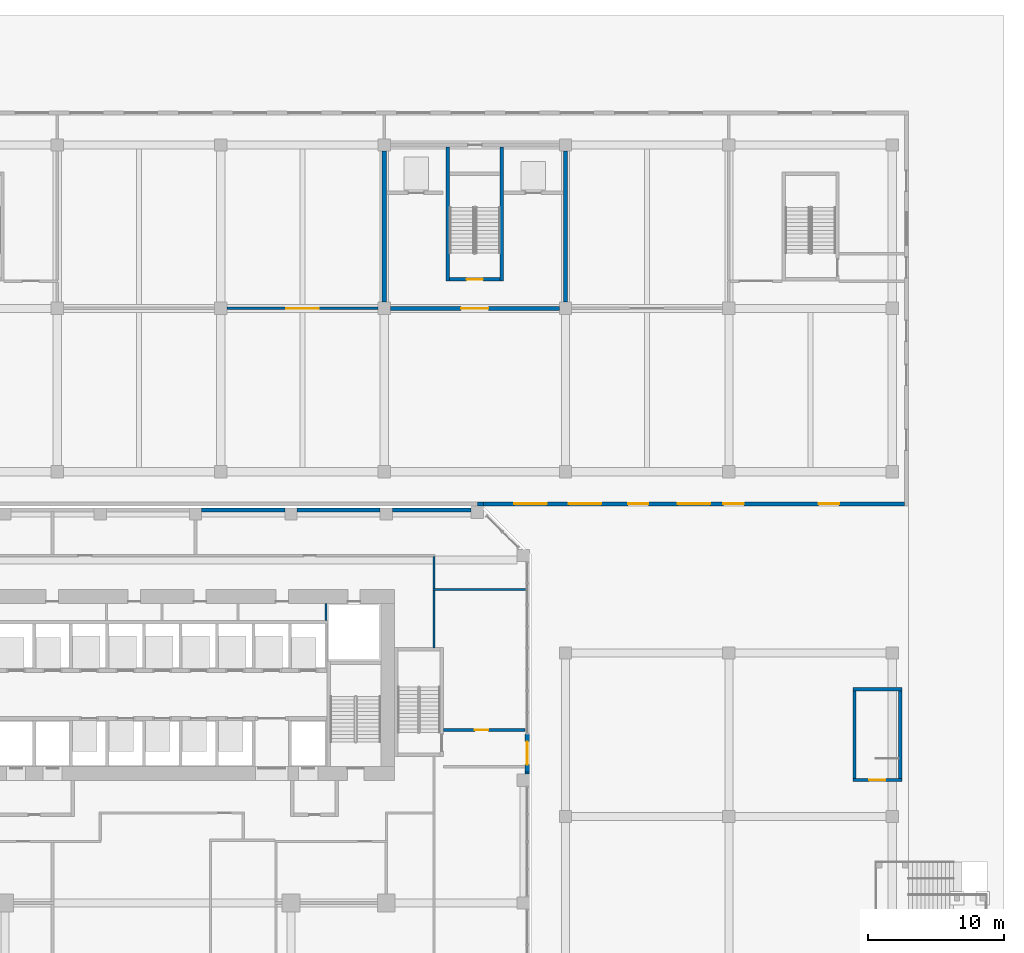
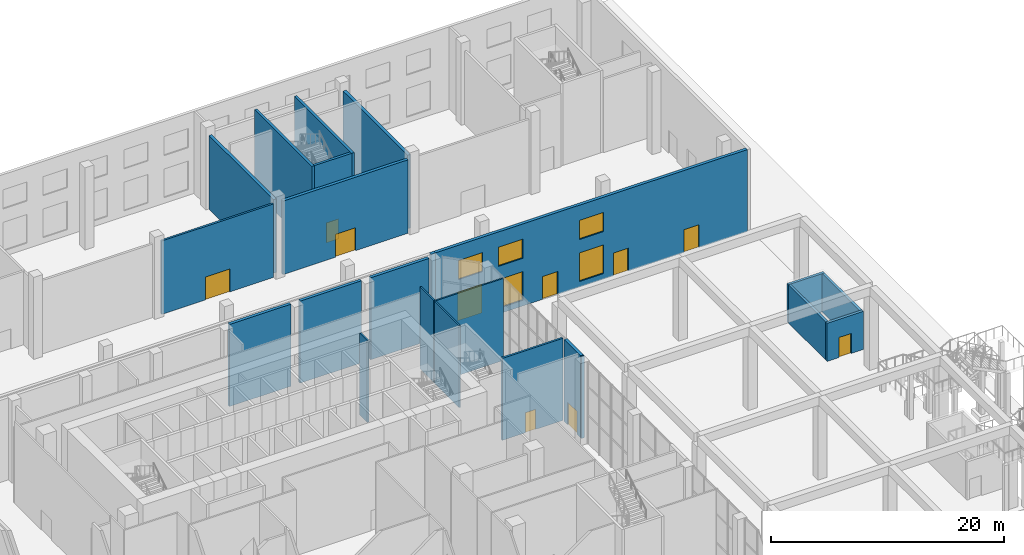
# One storey, part 29 of 43: 23 walls, 9 doors, 6 windows, 15 openings.
"""IFC4 building model written with IfcOpenShell, lengths in metres."""

from ifc_helpers import new_model, si_unit, direction, frame, frame_2d, origin, place, context, subcontext, project, spatial, rectangle, extrude, source, transform, mapped, material, layer, layer_set, type_object, element, fill, save


model = new_model("IFC4")

# Units and contexts
model_context = context("Model", 3, precision=1e-05, world=origin(), true_north=direction((0.0, 1.0)))
body_context = subcontext(model_context, "Body", "Model", "MODEL_VIEW")
ifc_project = project(units=[si_unit("LENGTHUNIT", "METRE"), si_unit("AREAUNIT", "SQUARE_METRE"), si_unit("VOLUMEUNIT", "CUBIC_METRE"), si_unit("PLANEANGLEUNIT", "RADIAN"), si_unit("MASSUNIT", "GRAM", prefix="KILO")], contexts=[model_context])

# Site, building, storey
site_placement = place(None, origin())
site = spatial("IfcSite", under=ifc_project, at=site_placement, CompositionType="ELEMENT")
building_placement = place(site_placement, origin())
building = spatial("IfcBuilding", under=site, at=building_placement, Name="Kilnfold Tower and Market Hall", CompositionType="ELEMENT")
storey_placement = place(building_placement, origin())
storey = spatial("IfcBuildingStorey", under=building, at=storey_placement, Name="L00", CompositionType="ELEMENT", Elevation=0.0)

# Walls
ifc_material_1 = material(Name="Gypsum board on steel studs", Category="steel")
ifc_layer_1 = layer(ifc_material_1, 0.14990234375)
ifc_layer_set_1 = layer_set([ifc_layer_1], Name="Gypsum board on steel studs")
wall_type_1 = type_object("IfcWallType", Name="WALL CORRIDOR 150", PredefinedType="PARTITIONING", material=ifc_layer_set_1)
wall_1_placement = place(storey_placement, frame((21.0, 17.699951171875, 0.0), z_axis=(0.0, 0.0, 1.0), x_axis=(0.0, 1.0, 0.0)))
element("IfcWall", 1, at=wall_1_placement, inside=storey, type_object=wall_type_1, Name="Partition LY01.8", PredefinedType="PARTITIONING", context=body_context, shape_type="SweptSolid", body=[
    extrude(rectangle(XDim=4.22509765625, YDim=0.14990234375, at=frame_2d((2.112548828125, 0.0))), origin(), (0.0, 0.0, 1.0), 8.60009765625),
])
wall_2_placement = place(storey_placement, frame((27.75, 22.0, 0.0), z_axis=(0.0, 0.0, 1.0), x_axis=(-1.0, 0.0, 0.0)))
element("IfcWall", 2, at=wall_2_placement, inside=storey, type_object=wall_type_1, Name="Partition LY01.9", PredefinedType="PARTITIONING", context=body_context, shape_type="SweptSolid", body=[
    extrude(rectangle(XDim=6.824951171875, YDim=0.14990234375, at=frame_2d((3.41259765625, 0.0))), origin(), (0.0, 0.0, 1.0), 8.60009765625),
])
wall_3_placement = place(storey_placement, frame((21.0, 22.06591796875, 0.0), z_axis=(0.0, 0.0, 1.0), x_axis=(0.0, 1.0, 0.0)))
element("IfcWall", 3, at=wall_3_placement, inside=storey, type_object=wall_type_1, Name="Partition LY01.32", PredefinedType="PARTITIONING", context=body_context, shape_type="SweptSolid", body=[
    extrude(rectangle(XDim=2.359130859375, YDim=0.14990234375, at=frame_2d((1.1796875, 0.0))), origin(), (0.0, 0.0, 1.0), 8.60009765625),
])

# Wall, opening, door
ifc_material_2 = material(Name="Concrete C50/60", Category="concrete")
ifc_layer_2 = layer(ifc_material_2, 0.25)
ifc_layer_set_2 = layer_set([ifc_layer_2], Name="Concrete C50/60")
wall_type_2 = type_object("IfcWallType", Name="HALL CORE WALL 250", PredefinedType="SHEAR", material=ifc_layer_set_2)
shared_shape_1 = source(origin(), body_context, "Body", "SweptSolid", [
    extrude(rectangle(XDim=3.7001953125, YDim=0.25, at=frame_2d((1.85009765625, 0.0))), origin(), (0.0, 0.0, 1.0), 8.60009765625),
])
wall_4_placement = place(storey_placement, frame((25.85009765625, 44.77490234375, 0.0), z_axis=(0.0, 0.0, 1.0), x_axis=(-1.0, 0.0, 0.0)))
wall_4 = element("IfcWall", 4, at=wall_4_placement, inside=storey, type_object=wall_type_2, Name="Core wall MH3", PredefinedType="SHEAR", context=body_context, shape_type="MappedRepresentation", body=[
    mapped(shared_shape_1, transform((0.0, 0.0, 0.0))),
])
opening_1_placement = place(wall_4_placement, frame((1.25, 0.0, 0.0)))
opening_1 = element("IfcOpeningElement", 5, at=opening_1_placement, cuts=wall_4, Name="Opening MD9-60", PredefinedType="OPENING", context=body_context, shape_type="SweptSolid", body=[
    extrude(rectangle(XDim=1.199951171875, YDim=2.10009765625, at=frame_2d((0.60009765625, 1.050048828125))), frame((0.0, 0.135009765625, 0.0), z_axis=(0.0, -1.0, 0.0), x_axis=(1.0, 0.0, 0.0)), (0.0, 0.0, 1.0), 0.27001953125),
])
ifc_material_3 = material(Name="Steel S355", Category="steel")
door_type_1 = type_object("IfcDoorType", Name="HALL DOOR STAIR 1200X2100 FD60", OperationType="NOTDEFINED", PredefinedType="DOOR", material=ifc_material_3)
door_1_placement = place(opening_1_placement, origin())
door_1 = element("IfcDoor", 6, at=door_1_placement, inside=storey, type_object=door_type_1, Name="Door MD9-60", OperationType="DOUBLE_DOOR_SINGLE_SWING", OverallHeight=2.10009765625, OverallWidth=1.199951171875, PredefinedType="DOOR", context=body_context, shape_type="SweptSolid", body=[
    extrude(rectangle(XDim=1.199951171875, YDim=2.10009765625, at=frame_2d((0.60009765625, 1.050048828125))), frame((0.0, 0.02490234375, 0.0), z_axis=(0.0, -1.0, 0.0), x_axis=(1.0, 0.0, 0.0)), (0.0, 0.0, 1.0), 0.050048828125),
])
fill(opening_1, door_1)

ifc_material_4 = material(Name="Concrete C80", Category="concrete")
ifc_layer_3 = layer(ifc_material_4, 0.199951171875)
ifc_layer_set_3 = layer_set([ifc_layer_3], Name="Concrete C80")
wall_type_3 = type_object("IfcWallType", Name="CORE WALL 200 C80", PredefinedType="SHEAR", material=ifc_layer_set_3)
shared_shape_2 = source(origin(), body_context, "Body", "SweptSolid", [
    extrude(rectangle(XDim=6.0, YDim=0.199951171875, at=frame_2d((3.0, 0.0))), origin(), (0.0, 0.0, 1.0), 8.60009765625),
])
wall_5_placement = place(storey_placement, frame((21.699951171875, 11.699951171875, 0.0), z_axis=(0.0, 0.0, 1.0), x_axis=(1.0, 0.0, 0.0)))
wall_5 = element("IfcWall", 7, at=wall_5_placement, inside=storey, type_object=wall_type_3, Name="Exit passage ST5", PredefinedType="SHEAR", context=body_context, shape_type="MappedRepresentation", body=[
    mapped(shared_shape_2, transform((0.0, 0.0, 0.0))),
])
opening_2_placement = place(wall_5_placement, frame((2.300048828125, 0.0, 0.0)))
opening_2 = element("IfcOpeningElement", 8, at=opening_2_placement, cuts=wall_5, Name="Opening SD2", PredefinedType="OPENING", context=body_context, shape_type="SweptSolid", body=[
    extrude(rectangle(XDim=1.0, YDim=2.10009765625, at=frame_2d((0.5, 1.050048828125))), frame((0.0, 0.10986328125, 0.0), z_axis=(0.0, -1.0, 0.0), x_axis=(1.0, 0.0, 0.0)), (0.0, 0.0, 1.0), 0.219970703125),
])
ifc_material_5 = material(Name="Steel door set with fire-resisting leaf", Category="steel")
door_type_2 = type_object("IfcDoorType", Name="EXIT PASSAGE DOOR 1000X2100", OperationType="NOTDEFINED", PredefinedType="DOOR", material=ifc_material_5)
door_2_placement = place(opening_2_placement, origin())
door_2 = element("IfcDoor", 9, at=door_2_placement, inside=storey, type_object=door_type_2, Name="Exit passage ST5 door from the gallery", OperationType="SINGLE_SWING_RIGHT", OverallHeight=2.10009765625, OverallWidth=1.0, PredefinedType="DOOR", context=body_context, shape_type="SweptSolid", body=[
    extrude(rectangle(XDim=1.0, YDim=2.10009765625, at=frame_2d((0.5, 1.050048828125))), frame((0.0, 0.02490234375, 0.0), z_axis=(0.0, -1.0, 0.0), x_axis=(1.0, 0.0, 0.0)), (0.0, 0.0, 1.0), 0.050048828125),
])
fill(opening_2, door_2)

# Walls
ifc_material_6 = material(Name="Concrete C50/60", Category="concrete")
ifc_layer_4 = layer(ifc_material_6, 0.300048828125)
ifc_layer_set_4 = layer_set([ifc_layer_4], Name="Concrete C50/60")
wall_type_4 = type_object("IfcWallType", Name="HALL CORE WALL 300", PredefinedType="SHEAR", material=ifc_layer_set_4)
shared_shape_3 = source(origin(), body_context, "Body", "SweptSolid", [
    extrude(rectangle(XDim=11.099853515625, YDim=0.300048828125, at=frame_2d((5.5498046875, 0.0))), origin(), (0.0, 0.0, 1.0), 7.699951171875),
])
for number, where, z_axis, x_axis, name in (
    (10, (30.64990234375, 54.199951171875, 0.0), (0.0, 0.0, 1.0), (0.0, -1.0, 0.0), "Core wall MH3"),
    (11, (17.35009765625, 54.199951171875, 0.0), (0.0, 0.0, 1.0), (0.0, -1.0, 0.0), "Core wall MH3"),
):
    element("IfcWall", number, at=place(storey_placement, frame(where, z_axis=z_axis, x_axis=x_axis)), inside=storey, type_object=wall_type_4, Name=name, PredefinedType="SHEAR", context=body_context, shape_type="MappedRepresentation", body=[
        mapped(shared_shape_3, transform((0.0, 0.0, 0.0))),
    ])
shared_shape_4 = source(origin(), body_context, "Body", "SweptSolid", [
    extrude(rectangle(XDim=9.85009765625, YDim=0.25, at=frame_2d((4.925048828125, 0.0))), origin(), (0.0, 0.0, 1.0), 8.60009765625),
])
for number, where, z_axis, x_axis, name in (
    (12, (25.97509765625, 54.5, 0.0), (0.0, 0.0, 1.0), (0.0, -1.0, 0.0), "Core wall MH3"),
    (13, (22.02490234375, 54.5, 0.0), (0.0, 0.0, 1.0), (0.0, -1.0, 0.0), "Core wall MH3"),
):
    element("IfcWall", number, at=place(storey_placement, frame(where, z_axis=z_axis, x_axis=x_axis)), inside=storey, type_object=wall_type_2, Name=name, PredefinedType="SHEAR", context=body_context, shape_type="MappedRepresentation", body=[
        mapped(shared_shape_4, transform((0.0, 0.0, 0.0))),
    ])

# Wall, opening, door
shared_shape_5 = source(origin(), body_context, "Body", "SweptSolid", [
    extrude(rectangle(XDim=12.39990234375, YDim=0.300048828125, at=frame_2d((6.199951171875, 0.0))), origin(), (0.0, 0.0, 1.0), 7.699951171875),
])
wall_6_placement = place(storey_placement, frame((30.199951171875, 42.64990234375, 0.0), z_axis=(0.0, 0.0, 1.0), x_axis=(-1.0, 0.0, 0.0)))
wall_6 = element("IfcWall", 14, at=wall_6_placement, inside=storey, type_object=wall_type_4, Name="Core wall MH3", PredefinedType="SHEAR", context=body_context, shape_type="MappedRepresentation", body=[
    mapped(shared_shape_5, transform((0.0, 0.0, 0.0))),
])
opening_3_placement = place(wall_6_placement, frame((5.199951171875, 0.0, 0.0)))
opening_3 = element("IfcOpeningElement", 15, at=opening_3_placement, cuts=wall_6, Name="Opening MD10-60", PredefinedType="OPENING", context=body_context, shape_type="SweptSolid", body=[
    extrude(rectangle(XDim=2.0, YDim=2.39990234375, at=frame_2d((1.0, 1.199951171875))), frame((0.0, 0.16015625, 0.0), z_axis=(0.0, -1.0, 0.0), x_axis=(1.0, 0.0, 0.0)), (0.0, 0.0, 1.0), 0.320068359375),
])
ifc_material_7 = material(Name="Aluminium glazing", Category="aluminium")
door_type_3 = type_object("IfcDoorType", Name="HALL DOOR LOBBY 2000X2400 FD60", OperationType="NOTDEFINED", PredefinedType="DOOR", material=ifc_material_7)
door_3_placement = place(opening_3_placement, origin())
door_3 = element("IfcDoor", 16, at=door_3_placement, inside=storey, type_object=door_type_3, Name="Door MD10-60", OperationType="DOUBLE_DOOR_SINGLE_SWING", OverallHeight=2.39990234375, OverallWidth=2.0, PredefinedType="DOOR", context=body_context, shape_type="SweptSolid", body=[
    extrude(rectangle(XDim=2.0, YDim=2.39990234375, at=frame_2d((1.0, 1.199951171875))), frame((0.0, 0.02490234375, 0.0), z_axis=(0.0, -1.0, 0.0), x_axis=(1.0, 0.0, 0.0)), (0.0, 0.0, 1.0), 0.050048828125),
])
fill(opening_3, door_3)

# Wall
ifc_material_8 = material(Name="Precast concrete C50/60", Category="concrete")
ifc_layer_5 = layer(ifc_material_8, 0.300048828125)
ifc_layer_set_5 = layer_set([ifc_layer_5], Name="Precast concrete C50/60")
wall_type_5 = type_object("IfcWallType", Name="PRECAST WALL 300", PredefinedType="SOLIDWALL", material=ifc_layer_set_5)
shared_shape_6 = source(origin(), body_context, "Body", "SweptSolid", [
    extrude(rectangle(XDim=0.150146484375, YDim=0.300048828125, at=frame_2d((0.0751953125, 0.0))), origin(), (0.0, 0.0, 1.0), 8.60009765625),
])
wall_7_placement = place(storey_placement, frame((27.85009765625, 8.449951171875, 0.0), z_axis=(0.0, 0.0, 1.0), x_axis=(0.0, 1.0, 0.0)))
element("IfcWall", 17, at=wall_7_placement, inside=storey, type_object=wall_type_5, Name="External wall L00 E", PredefinedType="SOLIDWALL", context=body_context, shape_type="MappedRepresentation", body=[
    mapped(shared_shape_6, transform((0.0, 0.0, 0.0))),
])

# Wall, opening, door
shared_shape_7 = source(origin(), body_context, "Body", "SweptSolid", [
    extrude(rectangle(XDim=2.7998046875, YDim=0.300048828125, at=frame_2d((1.39990234375, 0.0))), origin(), (0.0, 0.0, 1.0), 8.60009765625),
])
wall_8_placement = place(storey_placement, frame((27.85009765625, 11.39990234375, 0.0), z_axis=(0.0, 0.0, 1.0), x_axis=(0.0, -1.0, 0.0)))
wall_8 = element("IfcWall", 18, at=wall_8_placement, inside=storey, type_object=wall_type_5, Name="Entrance wall L00 E", PredefinedType="SOLIDWALL", context=body_context, shape_type="MappedRepresentation", body=[
    mapped(shared_shape_7, transform((0.0, 0.0, 0.0))),
])
opening_4_placement = place(wall_8_placement, frame((0.550048828125, 0.0, 0.0)))
opening_4 = element("IfcOpeningElement", 19, at=opening_4_placement, cuts=wall_8, Name="Opening TD2", PredefinedType="OPENING", context=body_context, shape_type="SweptSolid", body=[
    extrude(rectangle(XDim=1.699951171875, YDim=2.39990234375, at=frame_2d((0.85009765625, 1.199951171875))), frame((0.0, 0.16015625, 0.0), z_axis=(0.0, -1.0, 0.0), x_axis=(1.0, 0.0, 0.0)), (0.0, 0.0, 1.0), 0.320068359375),
])
ifc_material_9 = material(Name="Aluminium frame and toughened glass", Category="aluminium")
door_type_4 = type_object("IfcDoorType", Name="ENTRANCE DOOR 1700X2400", OperationType="NOTDEFINED", PredefinedType="DOOR", material=ifc_material_9)
door_4_placement = place(opening_4_placement, origin())
door_4 = element("IfcDoor", 20, at=door_4_placement, inside=storey, type_object=door_type_4, Name="Entrance door TE6", OperationType="DOUBLE_DOOR_SINGLE_SWING", OverallHeight=2.39990234375, OverallWidth=1.699951171875, PredefinedType="DOOR", context=body_context, shape_type="SweptSolid", body=[
    extrude(rectangle(XDim=1.699951171875, YDim=2.39990234375, at=frame_2d((0.85009765625, 1.199951171875))), frame((0.0, 0.02490234375, 0.0), z_axis=(0.0, -1.0, 0.0), x_axis=(1.0, 0.0, 0.0)), (0.0, 0.0, 1.0), 0.050048828125),
])
fill(opening_4, door_4)

# Walls
shared_shape_8 = source(origin(), body_context, "Body", "SweptSolid", [
    extrude(rectangle(XDim=5.78173828125, YDim=0.300048828125, at=frame_2d((2.890869140625, 0.0))), origin(), (0.0, 0.0, 1.0), 8.60009765625),
])
wall_9_placement = place(storey_placement, frame((23.731689453125, 27.85009765625, 0.0), z_axis=(0.0, 0.0, 1.0), x_axis=(-1.0, 0.0, 0.0)))
element("IfcWall", 21, at=wall_9_placement, inside=storey, type_object=wall_type_5, Name="Party wall L00 N", PredefinedType="SOLIDWALL", context=body_context, shape_type="MappedRepresentation", body=[
    mapped(shared_shape_8, transform((0.0, 0.0, 0.0))),
])
shared_shape_9 = source(origin(), body_context, "Body", "SweptSolid", [
    extrude(rectangle(XDim=6.10009765625, YDim=0.300048828125, at=frame_2d((3.050048828125, 0.0))), origin(), (0.0, 0.0, 1.0), 8.60009765625),
])
for number, where, z_axis, x_axis, name in (
    (22, (17.050048828125, 27.85009765625, 0.0), (0.0, 0.0, 1.0), (-1.0, 0.0, 0.0), "Party wall L00 N"),
    (23, (10.050048828125, 27.85009765625, 0.0), (0.0, 0.0, 1.0), (-1.0, 0.0, 0.0), "Party wall L00 N"),
):
    element("IfcWall", number, at=place(storey_placement, frame(where, z_axis=z_axis, x_axis=x_axis)), inside=storey, type_object=wall_type_5, Name=name, PredefinedType="SOLIDWALL", context=body_context, shape_type="MappedRepresentation", body=[
        mapped(shared_shape_9, transform((0.0, 0.0, 0.0))),
    ])

# Wall, openings, windows, doors
ifc_material_10 = material(Name="Concrete blockwork", Category="masonry")
ifc_layer_6 = layer(ifc_material_10, 0.300048828125)
ifc_layer_set_6 = layer_set([ifc_layer_6], Name="Concrete blockwork")
wall_type_6 = type_object("IfcWallType", Name="HALL EXTERNAL WALL 300 EI 60", PredefinedType="SOLIDWALL", material=ifc_layer_set_6)
shared_shape_10 = source(origin(), body_context, "Body", "SweptSolid", [
    extrude(rectangle(XDim=30.92578125, YDim=0.300048828125, at=frame_2d((15.462890625, 0.0))), origin(), (0.0, 0.0, 1.0), 8.60009765625),
])
wall_10_placement = place(storey_placement, frame((55.550048828125, 28.300048828125, 0.0), z_axis=(0.0, 0.0, 1.0), x_axis=(-1.0, 0.0, 0.0)))
wall_10 = element("IfcWall", 24, at=wall_10_placement, inside=storey, type_object=wall_type_6, Name="External wall MEW-L00.4", PredefinedType="SOLIDWALL", context=body_context, shape_type="MappedRepresentation", body=[
    mapped(shared_shape_10, transform((0.0, 0.0, 0.0))),
])
opening_5_placement = place(wall_10_placement, frame((18.800048828125, 0.0, 0.0)))
opening_5 = element("IfcOpeningElement", 25, at=opening_5_placement, cuts=wall_10, Name="Opening MED1", PredefinedType="OPENING", context=body_context, shape_type="SweptSolid", body=[
    extrude(rectangle(XDim=1.5, YDim=2.39990234375, at=frame_2d((0.75, 1.199951171875))), frame((0.0, 0.16015625, 0.0), z_axis=(0.0, -1.0, 0.0), x_axis=(1.0, 0.0, 0.0)), (0.0, 0.0, 1.0), 0.320068359375),
])
opening_6_placement = place(wall_10_placement, frame((4.800048828125, 0.0, 0.0)))
opening_6 = element("IfcOpeningElement", 26, at=opening_6_placement, cuts=wall_10, Name="Opening MED1", PredefinedType="OPENING", context=body_context, shape_type="SweptSolid", body=[
    extrude(rectangle(XDim=1.5, YDim=2.39990234375, at=frame_2d((0.75, 1.199951171875))), frame((0.0, 0.16015625, 0.0), z_axis=(0.0, -1.0, 0.0), x_axis=(1.0, 0.0, 0.0)), (0.0, 0.0, 1.0), 0.320068359375),
])
opening_7_placement = place(wall_10_placement, frame((11.800048828125, 0.0, 0.0)))
opening_7 = element("IfcOpeningElement", 27, at=opening_7_placement, cuts=wall_10, Name="Opening MED1", PredefinedType="OPENING", context=body_context, shape_type="SweptSolid", body=[
    extrude(rectangle(XDim=1.5, YDim=2.39990234375, at=frame_2d((0.75, 1.199951171875))), frame((0.0, 0.16015625, 0.0), z_axis=(0.0, -1.0, 0.0), x_axis=(1.0, 0.0, 0.0)), (0.0, 0.0, 1.0), 0.320068359375),
])
opening_8_placement = place(wall_10_placement, frame((14.262939453125, 0.0, 0.60009765625)))
opening_8 = element("IfcOpeningElement", 28, at=opening_8_placement, cuts=wall_10, Name="Opening MEN1", PredefinedType="OPENING", context=body_context, shape_type="SweptSolid", body=[
    extrude(rectangle(XDim=2.39990234375, YDim=3.0, at=frame_2d((1.199951171875, 1.5))), frame((0.0, 0.16015625, 0.0), z_axis=(0.0, -1.0, 0.0), x_axis=(1.0, 0.0, 0.0)), (0.0, 0.0, 1.0), 0.320068359375),
])
opening_9_placement = place(wall_10_placement, frame((14.262939453125, 0.0, 5.0)))
opening_9 = element("IfcOpeningElement", 29, at=opening_9_placement, cuts=wall_10, Name="Opening MEN2", PredefinedType="OPENING", context=body_context, shape_type="SweptSolid", body=[
    extrude(rectangle(XDim=2.39990234375, YDim=2.0, at=frame_2d((1.199951171875, 1.0))), frame((0.0, 0.16015625, 0.0), z_axis=(0.0, -1.0, 0.0), x_axis=(1.0, 0.0, 0.0)), (0.0, 0.0, 1.0), 0.320068359375),
])
opening_10_placement = place(wall_10_placement, frame((22.262939453125, 0.0, 0.60009765625)))
opening_10 = element("IfcOpeningElement", 30, at=opening_10_placement, cuts=wall_10, Name="Opening MEN1", PredefinedType="OPENING", context=body_context, shape_type="SweptSolid", body=[
    extrude(rectangle(XDim=2.39990234375, YDim=3.0, at=frame_2d((1.199951171875, 1.5))), frame((0.0, 0.16015625, 0.0), z_axis=(0.0, -1.0, 0.0), x_axis=(1.0, 0.0, 0.0)), (0.0, 0.0, 1.0), 0.320068359375),
])
opening_11_placement = place(wall_10_placement, frame((22.262939453125, 0.0, 5.0)))
opening_11 = element("IfcOpeningElement", 31, at=opening_11_placement, cuts=wall_10, Name="Opening MEN2", PredefinedType="OPENING", context=body_context, shape_type="SweptSolid", body=[
    extrude(rectangle(XDim=2.39990234375, YDim=2.0, at=frame_2d((1.199951171875, 1.0))), frame((0.0, 0.16015625, 0.0), z_axis=(0.0, -1.0, 0.0), x_axis=(1.0, 0.0, 0.0)), (0.0, 0.0, 1.0), 0.320068359375),
])
opening_12_placement = place(wall_10_placement, frame((26.262939453125, 0.0, 0.60009765625)))
opening_12 = element("IfcOpeningElement", 32, at=opening_12_placement, cuts=wall_10, Name="Opening MEN1", PredefinedType="OPENING", context=body_context, shape_type="SweptSolid", body=[
    extrude(rectangle(XDim=2.39990234375, YDim=3.0, at=frame_2d((1.199951171875, 1.5))), frame((0.0, 0.16015625, 0.0), z_axis=(0.0, -1.0, 0.0), x_axis=(1.0, 0.0, 0.0)), (0.0, 0.0, 1.0), 0.320068359375),
])
opening_13_placement = place(wall_10_placement, frame((26.262939453125, 0.0, 5.0)))
opening_13 = element("IfcOpeningElement", 33, at=opening_13_placement, cuts=wall_10, Name="Opening MEN2", PredefinedType="OPENING", context=body_context, shape_type="SweptSolid", body=[
    extrude(rectangle(XDim=2.39990234375, YDim=2.0, at=frame_2d((1.199951171875, 1.0))), frame((0.0, 0.16015625, 0.0), z_axis=(0.0, -1.0, 0.0), x_axis=(1.0, 0.0, 0.0)), (0.0, 0.0, 1.0), 0.320068359375),
])
ifc_material_11 = material(Name="Aluminium glazing", Category="aluminium")
window_type_1 = type_object("IfcWindowType", Name="CLERESTORY 2400X2000", PartitioningType="SINGLE_PANEL", PredefinedType="WINDOW", material=ifc_material_11)
window_1_placement = place(opening_9_placement, origin())
window_1 = element("IfcWindow", 34, at=window_1_placement, inside=storey, type_object=window_type_1, Name="Window clerestory", OverallHeight=2.0, OverallWidth=2.39990234375, PartitioningType="SINGLE_PANEL", PredefinedType="WINDOW", context=body_context, shape_type="SweptSolid", body=[
    extrude(rectangle(XDim=2.39990234375, YDim=2.0, at=frame_2d((1.199951171875, 1.0))), frame((0.0, 0.030029296875, 0.0), z_axis=(0.0, -1.0, 0.0), x_axis=(1.0, 0.0, 0.0)), (0.0, 0.0, 1.0), 0.06005859375),
])
fill(opening_9, window_1)
window_2_placement = place(opening_11_placement, origin())
window_2 = element("IfcWindow", 35, at=window_2_placement, inside=storey, type_object=window_type_1, Name="Window clerestory", OverallHeight=2.0, OverallWidth=2.39990234375, PartitioningType="SINGLE_PANEL", PredefinedType="WINDOW", context=body_context, shape_type="SweptSolid", body=[
    extrude(rectangle(XDim=2.39990234375, YDim=2.0, at=frame_2d((1.199951171875, 1.0))), frame((0.0, 0.030029296875, 0.0), z_axis=(0.0, -1.0, 0.0), x_axis=(1.0, 0.0, 0.0)), (0.0, 0.0, 1.0), 0.06005859375),
])
fill(opening_11, window_2)
window_3_placement = place(opening_13_placement, origin())
window_3 = element("IfcWindow", 36, at=window_3_placement, inside=storey, type_object=window_type_1, Name="Window clerestory", OverallHeight=2.0, OverallWidth=2.39990234375, PartitioningType="SINGLE_PANEL", PredefinedType="WINDOW", context=body_context, shape_type="SweptSolid", body=[
    extrude(rectangle(XDim=2.39990234375, YDim=2.0, at=frame_2d((1.199951171875, 1.0))), frame((0.0, 0.030029296875, 0.0), z_axis=(0.0, -1.0, 0.0), x_axis=(1.0, 0.0, 0.0)), (0.0, 0.0, 1.0), 0.06005859375),
])
fill(opening_13, window_3)
ifc_material_12 = material(Name="Aluminium glazing", Category="aluminium")
door_type_5 = type_object("IfcDoorType", Name="HALL EXIT DOOR 1500X2400", OperationType="NOTDEFINED", PredefinedType="DOOR", material=ifc_material_12)
door_5_placement = place(opening_5_placement, origin())
door_5 = element("IfcDoor", 37, at=door_5_placement, inside=storey, type_object=door_type_5, Name="Exit door ME13", OperationType="DOUBLE_DOOR_SINGLE_SWING", OverallHeight=2.39990234375, OverallWidth=1.5, PredefinedType="DOOR", context=body_context, shape_type="SweptSolid", body=[
    extrude(rectangle(XDim=1.5, YDim=2.39990234375, at=frame_2d((0.75, 1.199951171875))), frame((0.0, 0.02490234375, 0.0), z_axis=(0.0, -1.0, 0.0), x_axis=(1.0, 0.0, 0.0)), (0.0, 0.0, 1.0), 0.050048828125),
])
fill(opening_5, door_5)
door_6_placement = place(opening_6_placement, origin())
door_6 = element("IfcDoor", 38, at=door_6_placement, inside=storey, type_object=door_type_5, Name="Exit door ME14", OperationType="DOUBLE_DOOR_SINGLE_SWING", OverallHeight=2.39990234375, OverallWidth=1.5, PredefinedType="DOOR", context=body_context, shape_type="SweptSolid", body=[
    extrude(rectangle(XDim=1.5, YDim=2.39990234375, at=frame_2d((0.75, 1.199951171875))), frame((0.0, 0.02490234375, 0.0), z_axis=(0.0, -1.0, 0.0), x_axis=(1.0, 0.0, 0.0)), (0.0, 0.0, 1.0), 0.050048828125),
])
fill(opening_6, door_6)
door_7_placement = place(opening_7_placement, origin())
door_7 = element("IfcDoor", 39, at=door_7_placement, inside=storey, type_object=door_type_5, Name="Exit door ME17", OperationType="DOUBLE_DOOR_SINGLE_SWING", OverallHeight=2.39990234375, OverallWidth=1.5, PredefinedType="DOOR", context=body_context, shape_type="SweptSolid", body=[
    extrude(rectangle(XDim=1.5, YDim=2.39990234375, at=frame_2d((0.75, 1.199951171875))), frame((0.0, 0.02490234375, 0.0), z_axis=(0.0, -1.0, 0.0), x_axis=(1.0, 0.0, 0.0)), (0.0, 0.0, 1.0), 0.050048828125),
])
fill(opening_7, door_7)
ifc_material_13 = material(Name="Aluminium glazing", Category="aluminium")
window_type_2 = type_object("IfcWindowType", Name="SHOPFRONT 2400X3000", PartitioningType="SINGLE_PANEL", PredefinedType="WINDOW", material=ifc_material_13)
window_4_placement = place(opening_8_placement, origin())
window_4 = element("IfcWindow", 40, at=window_4_placement, inside=storey, type_object=window_type_2, Name="Window shop", OverallHeight=3.0, OverallWidth=2.39990234375, PartitioningType="SINGLE_PANEL", PredefinedType="WINDOW", context=body_context, shape_type="SweptSolid", body=[
    extrude(rectangle(XDim=2.39990234375, YDim=3.0, at=frame_2d((1.199951171875, 1.5))), frame((0.0, 0.030029296875, 0.0), z_axis=(0.0, -1.0, 0.0), x_axis=(1.0, 0.0, 0.0)), (0.0, 0.0, 1.0), 0.06005859375),
])
fill(opening_8, window_4)
window_5_placement = place(opening_10_placement, origin())
window_5 = element("IfcWindow", 41, at=window_5_placement, inside=storey, type_object=window_type_2, Name="Window shop", OverallHeight=3.0, OverallWidth=2.39990234375, PartitioningType="SINGLE_PANEL", PredefinedType="WINDOW", context=body_context, shape_type="SweptSolid", body=[
    extrude(rectangle(XDim=2.39990234375, YDim=3.0, at=frame_2d((1.199951171875, 1.5))), frame((0.0, 0.030029296875, 0.0), z_axis=(0.0, -1.0, 0.0), x_axis=(1.0, 0.0, 0.0)), (0.0, 0.0, 1.0), 0.06005859375),
])
fill(opening_10, window_5)
window_6_placement = place(opening_12_placement, origin())
window_6 = element("IfcWindow", 42, at=window_6_placement, inside=storey, type_object=window_type_2, Name="Window shop", OverallHeight=3.0, OverallWidth=2.39990234375, PartitioningType="SINGLE_PANEL", PredefinedType="WINDOW", context=body_context, shape_type="SweptSolid", body=[
    extrude(rectangle(XDim=2.39990234375, YDim=3.0, at=frame_2d((1.199951171875, 1.5))), frame((0.0, 0.030029296875, 0.0), z_axis=(0.0, -1.0, 0.0), x_axis=(1.0, 0.0, 0.0)), (0.0, 0.0, 1.0), 0.06005859375),
])
fill(opening_12, window_6)

# Walls
ifc_material_14 = material(Name="Concrete blockwork", Category="masonry")
ifc_layer_7 = layer(ifc_material_14, 0.300048828125)
ifc_layer_set_7 = layer_set([ifc_layer_7], Name="Concrete blockwork")
wall_type_7 = type_object("IfcWallType", Name="HALL EXTERNAL WALL 300 EI 120", PredefinedType="SOLIDWALL", material=ifc_layer_set_7)
shared_shape_11 = source(origin(), body_context, "Body", "SweptSolid", [
    extrude(rectangle(XDim=0.42431640625, YDim=0.300048828125, at=frame_2d((0.212158203125, 0.0))), origin(), (0.0, 0.0, 1.0), 8.60009765625),
])
wall_11_placement = place(storey_placement, frame((24.624267578125, 28.300048828125, 0.0), z_axis=(0.0, 0.0, 1.0), x_axis=(-1.0, 0.0, 0.0)))
element("IfcWall", 43, at=wall_11_placement, inside=storey, type_object=wall_type_7, Name="Joint wall MEW-L00.5", PredefinedType="SOLIDWALL", context=body_context, shape_type="MappedRepresentation", body=[
    mapped(shared_shape_11, transform((0.0, 0.0, 0.0))),
])
ifc_material_15 = material(Name="Gypsum shaft wall system")
ifc_layer_8 = layer(ifc_material_15, 0.1650390625)
ifc_layer_set_8 = layer_set([ifc_layer_8], Name="Gypsum shaft wall system")
wall_type_8 = type_object("IfcWallType", Name="SHAFT WALL 165", PredefinedType="PARTITIONING", material=ifc_layer_set_8)
shared_shape_12 = source(origin(), body_context, "Body", "SweptSolid", [
    extrude(rectangle(XDim=1.27490234375, YDim=0.1650390625, at=frame_2d((0.637451171875, 0.0))), origin(), (0.0, 0.0, 1.0), 8.60009765625),
])
wall_12_placement = place(storey_placement, frame((13.0673828125, 19.72509765625, 0.0), z_axis=(0.0, 0.0, 1.0), x_axis=(0.0, 1.0, 0.0)))
element("IfcWall", 44, at=wall_12_placement, inside=storey, type_object=wall_type_8, Name="Lift shaft wall", PredefinedType="PARTITIONING", context=body_context, shape_type="MappedRepresentation", body=[
    mapped(shared_shape_12, transform((0.0, 0.0, 0.0))),
])

# Wall, opening, door
ifc_material_16 = material(Name="Concrete blockwork", Category="masonry")
ifc_layer_9 = layer(ifc_material_16, 0.199951171875)
ifc_layer_set_9 = layer_set([ifc_layer_9], Name="Concrete blockwork")
wall_type_9 = type_object("IfcWallType", Name="HALL PARTITION 200 EI 60", PredefinedType="PARTITIONING", material=ifc_layer_set_9)
shared_shape_13 = source(origin(), body_context, "Body", "SweptSolid", [
    extrude(rectangle(XDim=11.099853515625, YDim=0.199951171875, at=frame_2d((5.5498046875, 0.0))), origin(), (0.0, 0.0, 1.0), 7.699951171875),
])
wall_13_placement = place(storey_placement, frame((5.800048828125, 42.64990234375, 0.0), z_axis=(0.0, 0.0, 1.0), x_axis=(1.0, 0.0, 0.0)))
wall_13 = element("IfcWall", 45, at=wall_13_placement, inside=storey, type_object=wall_type_9, Name="Partition W-MH-L00.41", PredefinedType="PARTITIONING", context=body_context, shape_type="MappedRepresentation", body=[
    mapped(shared_shape_13, transform((0.0, 0.0, 0.0))),
])
opening_14_placement = place(wall_13_placement, frame((4.35009765625, 0.0, 0.0)))
opening_14 = element("IfcOpeningElement", 46, at=opening_14_placement, cuts=wall_13, Name="Opening MD7-60", PredefinedType="OPENING", context=body_context, shape_type="SweptSolid", body=[
    extrude(rectangle(XDim=2.39990234375, YDim=2.39990234375, at=frame_2d((1.199951171875, 1.199951171875))), frame((0.0, 0.10986328125, 0.0), z_axis=(0.0, -1.0, 0.0), x_axis=(1.0, 0.0, 0.0)), (0.0, 0.0, 1.0), 0.219970703125),
])
ifc_material_17 = material(Name="Aluminium glazing", Category="aluminium")
door_type_6 = type_object("IfcDoorType", Name="HALL DOOR HALL 2400X2400 FD60", OperationType="NOTDEFINED", PredefinedType="DOOR", material=ifc_material_17)
door_8_placement = place(opening_14_placement, origin())
door_8 = element("IfcDoor", 47, at=door_8_placement, inside=storey, type_object=door_type_6, Name="Door MD7-60", OperationType="DOUBLE_DOOR_SINGLE_SWING", OverallHeight=2.39990234375, OverallWidth=2.39990234375, PredefinedType="DOOR", context=body_context, shape_type="SweptSolid", body=[
    extrude(rectangle(XDim=2.39990234375, YDim=2.39990234375, at=frame_2d((1.199951171875, 1.199951171875))), frame((0.0, 0.02490234375, 0.0), z_axis=(0.0, -1.0, 0.0), x_axis=(1.0, 0.0, 0.0)), (0.0, 0.0, 1.0), 0.050048828125),
])
fill(opening_14, door_8)

ifc_material_18 = material(Name="Concrete C50/60", Category="concrete")
ifc_layer_10 = layer(ifc_material_18, 0.25)
ifc_layer_set_10 = layer_set([ifc_layer_10], Name="Concrete C50/60")
wall_type_10 = type_object("IfcWallType", Name="CAR PARK STAIR WALL 250", PredefinedType="SHEAR", material=ifc_layer_set_10)
shared_shape_14 = source(origin(), body_context, "Body", "SweptSolid", [
    extrude(rectangle(XDim=3.60009765625, YDim=0.25, at=frame_2d((1.800048828125, 0.0))), origin(), (0.0, 0.0, 1.0), 4.0),
])
wall_14_placement = place(storey_placement, frame((51.75, 8.02490234375, 0.0), z_axis=(0.0, 0.0, 1.0), x_axis=(1.0, 0.0, 0.0)))
wall_14 = element("IfcWall", 48, at=wall_14_placement, inside=storey, type_object=wall_type_10, Name="Stair CS4 wall south", PredefinedType="SHEAR", context=body_context, shape_type="MappedRepresentation", body=[
    mapped(shared_shape_14, transform((0.0, 0.0, 0.0))),
])
opening_15_placement = place(wall_14_placement, frame((1.199951171875, 0.0, 0.0)))
opening_15 = element("IfcOpeningElement", 49, at=opening_15_placement, cuts=wall_14, Name="Opening FD2", PredefinedType="OPENING", context=body_context, shape_type="SweptSolid", body=[
    extrude(rectangle(XDim=1.199951171875, YDim=2.10009765625, at=frame_2d((0.60009765625, 1.050048828125))), frame((0.0, 0.135009765625, 0.0), z_axis=(0.0, -1.0, 0.0), x_axis=(1.0, 0.0, 0.0)), (0.0, 0.0, 1.0), 0.27001953125),
])
ifc_material_19 = material(Name="Steel S355", Category="steel")
door_type_7 = type_object("IfcDoorType", Name="CAR PARK STAIR DOOR 1200X2100", OperationType="NOTDEFINED", PredefinedType="DOOR", material=ifc_material_19)
door_9_placement = place(opening_15_placement, origin())
door_9 = element("IfcDoor", 50, at=door_9_placement, inside=storey, type_object=door_type_7, Name="Stair CS4 door", OperationType="SINGLE_SWING_RIGHT", OverallHeight=2.10009765625, OverallWidth=1.199951171875, PredefinedType="DOOR", context=body_context, shape_type="SweptSolid", body=[
    extrude(rectangle(XDim=1.199951171875, YDim=2.10009765625, at=frame_2d((0.60009765625, 1.050048828125))), frame((0.0, 0.02490234375, 0.0), z_axis=(0.0, -1.0, 0.0), x_axis=(1.0, 0.0, 0.0)), (0.0, 0.0, 1.0), 0.050048828125),
])
fill(opening_15, door_9)

# Walls
wall_15_placement = place(storey_placement, frame((51.75, 14.675048828125, 0.0), z_axis=(0.0, 0.0, 1.0), x_axis=(1.0, 0.0, 0.0)))
element("IfcWall", 51, at=wall_15_placement, inside=storey, type_object=wall_type_10, Name="Stair CS4 wall north", PredefinedType="SHEAR", context=body_context, shape_type="MappedRepresentation", body=[
    mapped(shared_shape_14, transform((0.0, 0.0, 0.0))),
])
shared_shape_15 = source(origin(), body_context, "Body", "SweptSolid", [
    extrude(rectangle(XDim=6.400146484375, YDim=0.25, at=frame_2d((3.2001953125, 0.0))), origin(), (0.0, 0.0, 1.0), 4.0),
])
for number, where, z_axis, x_axis, name in (
    (52, (51.875, 8.14990234375, 0.0), (0.0, 0.0, 1.0), (0.0, 1.0, 0.0), "Stair CS4 wall west"),
    (53, (55.22509765625, 8.14990234375, 0.0), (0.0, 0.0, 1.0), (0.0, 1.0, 0.0), "Stair CS4 wall east"),
):
    element("IfcWall", number, at=place(storey_placement, frame(where, z_axis=z_axis, x_axis=x_axis)), inside=storey, type_object=wall_type_10, Name=name, PredefinedType="SHEAR", context=body_context, shape_type="MappedRepresentation", body=[
        mapped(shared_shape_15, transform((0.0, 0.0, 0.0))),
    ])

save(model, "model.ifc")
